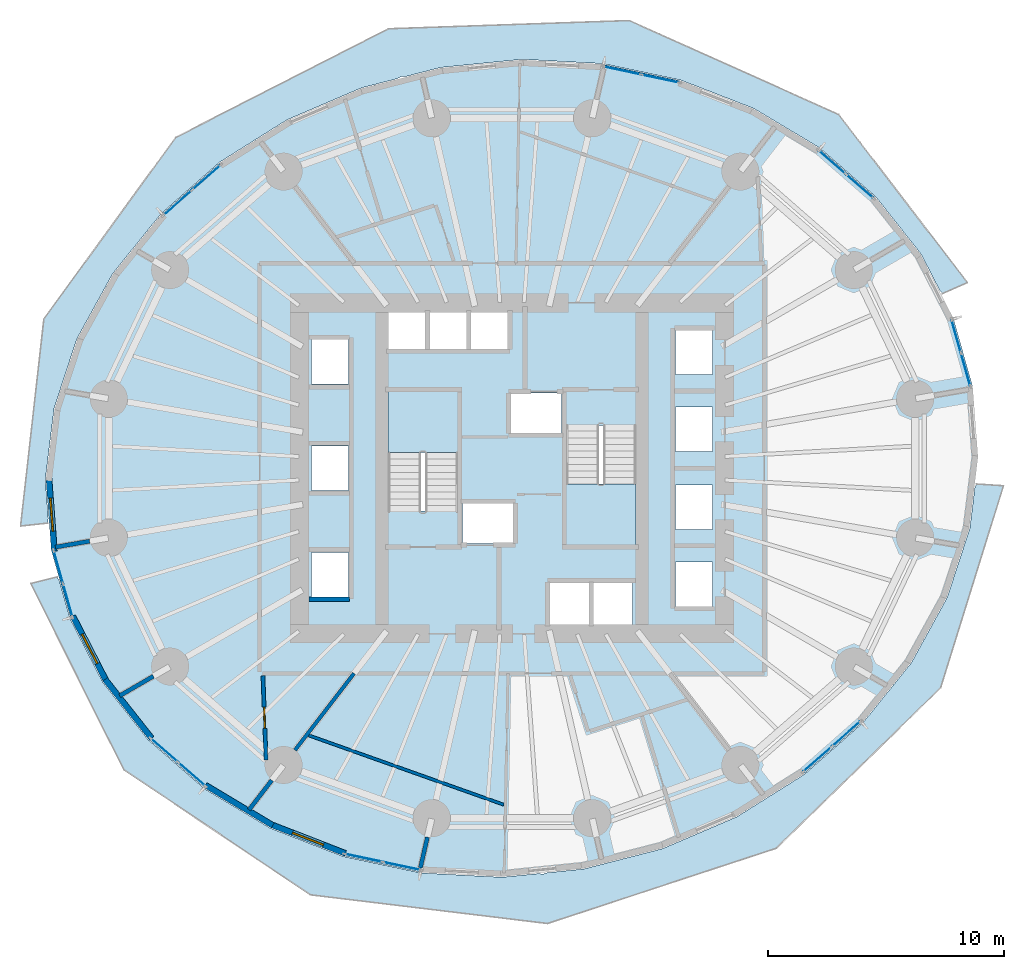
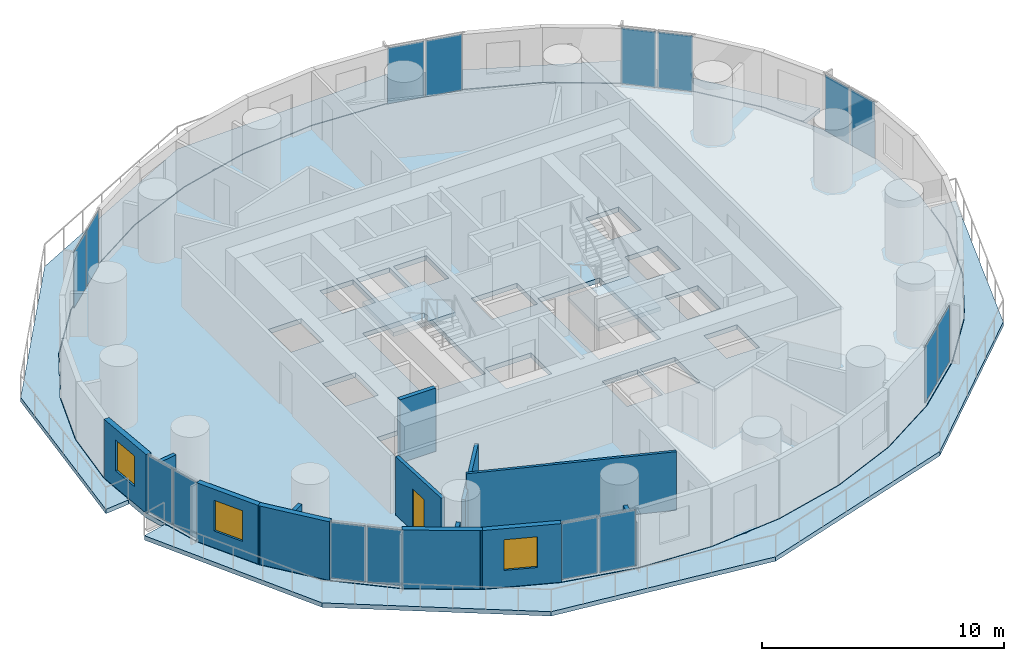
# One storey, part 6 of 13: 16 plates, 13 walls, 5 slabs, 3 windows, 1 door, 4 openings, 10 elements without a shape of their own.
"""IFC4 building model written with IfcOpenShell, lengths in metres."""

from ifc_helpers import new_model, si_unit, direction, frame, frame_2d, origin, origin_2d, place, context, subcontext, project, spatial, polyline, rectangle, outline, extrude, material, layer, layer_set, type_object, element, fill, aggregate, save


model = new_model("IFC4")

# Units and contexts
model_context = context("Model", 3, precision=1e-05, world=origin(), true_north=direction((0.0, 1.0)))
body_context = subcontext(model_context, "Body", "Model", "MODEL_VIEW")
ifc_project = project(units=[si_unit("LENGTHUNIT", "METRE"), si_unit("AREAUNIT", "SQUARE_METRE"), si_unit("VOLUMEUNIT", "CUBIC_METRE"), si_unit("PLANEANGLEUNIT", "RADIAN"), si_unit("MASSUNIT", "GRAM", prefix="KILO")], contexts=[model_context])

# Site, building, storey
site_placement = place(None, origin())
site = spatial("IfcSite", under=ifc_project, at=site_placement, CompositionType="ELEMENT")
building_placement = place(site_placement, origin())
building = spatial("IfcBuilding", under=site, at=building_placement, Name="Veldorim Arch Residences", CompositionType="ELEMENT")
storey_placement = place(building_placement, frame((0.0, 0.0, 44.0)))
storey = spatial("IfcBuildingStorey", under=building, at=storey_placement, Name="L12", CompositionType="ELEMENT", Elevation=44.0)

# Slabs
ifc_material_1 = material(Name="Concrete C40/50", Category="concrete")
ifc_layer_1 = layer(ifc_material_1, 0.219970703125, Name="Planted Crescent Cantilever Balcony Slab 220")
ifc_layer_set_1 = layer_set([ifc_layer_1], Name="Concrete C40/50")
slab_type_1 = type_object("IfcSlabType", Name="Planted Crescent Cantilever Balcony Slab 220", PredefinedType="FLOOR", material=ifc_layer_set_1)
slab_1_placement = place(storey_placement, frame((0.0, 0.0, -0.219970703125)))
element("IfcSlab", 1, at=slab_1_placement, inside=storey, type_object=slab_type_1, Name="L12 planted crescent balcony slab A", PredefinedType="FLOOR", context=body_context, shape_type="SweptSolid", body=[
    extrude(outline(polyline([(50.09228515625, 31.54150390625), (49.310302734375, 33.06201171875), (47.3955078125, 35.485595703125), (45.01318359375, 37.560302734375), (42.235595703125, 39.22265625), (39.147216796875, 40.42236328125), (35.841796875, 41.123291015625), (32.419921875, 41.30419921875), (28.985107421875, 40.959228515625), (27.514892578125, 40.580810546875), (27.31689453125, 40.572021484375), (27.14013671875, 40.484619140625), (25.64208984375, 40.09912109375), (22.4921875, 38.750244140625), (19.630615234375, 36.953125), (17.14501953125, 34.762451171875), (15.110595703125, 32.24462890625), (13.589111328125, 29.47607421875), (12.627197265625, 26.541015625), (12.25390625, 23.5283203125), (12.37939453125, 21.86962890625), (12.34716796875, 21.681884765625), (11.2041015625, 21.557373046875), (12.189453125, 30.31494140625), (17.773193359375, 38.0029296875), (26.772216796875, 42.60009765625), (36.96337890625, 42.94677734375), (45.82080078125, 38.97314453125), (51.26953125, 31.861328125), (50.2177734375, 31.396484375), (50.09228515625, 31.54150390625)])), origin(), (0.0, 0.0, 1.0), 0.219970703125),
])
slab_2_placement = place(storey_placement, frame((0.0, 0.0, -0.219970703125)))
element("IfcSlab", 2, at=slab_2_placement, inside=storey, type_object=slab_type_1, Name="L12 planted crescent balcony slab B", PredefinedType="FLOOR", context=body_context, shape_type="SweptSolid", body=[
    extrude(outline(polyline([(12.84716796875, 19.238037109375), (13.301025390625, 17.63720703125), (14.689697265625, 14.93798828125), (16.6044921875, 12.514404296875), (18.98681640625, 10.439697265625), (21.764404296875, 8.77734375), (24.852783203125, 7.57763671875), (28.158203125, 6.876708984375), (31.580078125, 6.69580078125), (33.118896484375, 6.850341796875), (33.315185546875, 6.829345703125), (33.504150390625, 6.88916015625), (35.014892578125, 7.040771484375), (38.35791015625, 7.90087890625), (41.5078125, 9.249755859375), (44.369384765625, 11.046875), (46.85498046875, 13.237548828125), (48.889404296875, 15.75537109375), (50.410888671875, 18.52392578125), (51.372802734375, 21.458984375), (51.5830078125, 23.15576171875), (51.650634765625, 23.33544921875), (52.79833984375, 23.261474609375), (50.134521484375, 14.70751953125), (43.189208984375, 7.924560546875), (33.502685546875, 4.73779296875), (23.470947265625, 5.951904296875), (15.57958984375, 11.244384765625), (11.63623046875, 19.1259765625), (12.75244140625, 19.40283203125), (12.84716796875, 19.238037109375)])), origin(), (0.0, 0.0, 1.0), 0.219970703125),
])

# Stair, slab
ifc_material_2 = material(Name="Concrete C40/50", Category="concrete")
stair_type = type_object("IfcStairType", Name="Reinforced Concrete Dogleg Exit Staircase", PredefinedType="HALF_TURN_STAIR", material=ifc_material_2)
stair_1_placement = place(storey_placement, origin())
stair_1 = element("IfcStair", 3, at=stair_1_placement, inside=storey, type_object=stair_type, Name="L12 Exit Staircase ST-1", PredefinedType="HALF_TURN_STAIR")
ifc_material_3 = material(Name="Concrete C40/50", Category="concrete")
ifc_layer_2 = layer(ifc_material_3, 0.199951171875, Name="Reinforced Concrete Stair Landing 200")
ifc_layer_set_2 = layer_set([ifc_layer_2], Name="Concrete C40/50")
slab_type_2 = type_object("IfcSlabType", Name="Reinforced Concrete Stair Landing 200", PredefinedType="LANDING", material=ifc_layer_set_2)
slab_3_placement = place(storey_placement, frame((0.0, 0.0, 1.39990234375)))
slab_3 = element("IfcSlab", 4, at=slab_3_placement, type_object=slab_type_2, Name="ST-1 landing 1", PredefinedType="LANDING", context=body_context, shape_type="SweptSolid", body=[
    extrude(outline(polyline([(29.7099609375, 24.669921875), (29.7099609375, 27.25), (26.75, 27.25), (26.75, 24.669921875), (29.7099609375, 24.669921875)])), origin(), (0.0, 0.0, 1.0), 0.2001953125),
])
aggregate(stair_1, [slab_3])

stair_2_placement = place(storey_placement, origin())
stair_2 = element("IfcStair", 5, at=stair_2_placement, inside=storey, type_object=stair_type, Name="L12 Exit Staircase ST-2", PredefinedType="HALF_TURN_STAIR")
slab_4_placement = place(storey_placement, frame((0.0, 0.0, 1.39990234375)))
slab_4 = element("IfcSlab", 6, at=slab_4_placement, type_object=slab_type_2, Name="ST-2 landing 1", PredefinedType="LANDING", context=body_context, shape_type="SweptSolid", body=[
    extrude(outline(polyline([(34.2900390625, 23.330078125), (34.2900390625, 20.75), (37.25, 20.75), (37.25, 23.330078125), (34.2900390625, 23.330078125)])), origin(), (0.0, 0.0, 1.0), 0.2001953125),
])
aggregate(stair_2, [slab_4])

# Slab
ifc_material_4 = material(Name="Concrete C40/50", Category="concrete")
ifc_layer_3 = layer(ifc_material_4, 0.239990234375, Name="Typical Residential Floor Slab 240")
ifc_layer_set_3 = layer_set([ifc_layer_3], Name="Concrete C40/50")
slab_type_3 = type_object("IfcSlabType", Name="Typical Residential Floor Slab 240", PredefinedType="FLOOR", material=ifc_layer_set_3)
slab_5_placement = place(storey_placement, frame((0.0, 0.0, -0.239990234375)))
element("IfcSlab", 7, at=slab_5_placement, inside=storey, type_object=slab_type_3, Name="L12 tower structural floor slab", PredefinedType="FLOOR", context=body_context, shape_type="SweptSolid", body=[
    extrude(outline(polyline([(51.494384765625, 27.465576171875), (50.675537109375, 30.353515625), (49.2890625, 33.04833984375), (47.37744140625, 35.468505859375), (44.99853515625, 37.5400390625), (42.224609375, 39.2001953125), (39.14013671875, 40.3984375), (35.838623046875, 41.098388671875), (32.42041015625, 41.279052734375), (28.989501953125, 40.9345703125), (25.650146484375, 40.075439453125), (22.503662109375, 38.72802734375), (19.645751953125, 36.93310546875), (17.1630859375, 34.7451171875), (15.13134765625, 32.230712890625), (13.6123046875, 29.466064453125), (12.651611328125, 26.535400390625), (12.279052734375, 23.52783203125), (12.505615234375, 20.534423828125), (13.324462890625, 17.646484375), (14.7109375, 14.95166015625), (16.62255859375, 12.531494140625), (19.00146484375, 10.4599609375), (21.775390625, 8.7998046875), (24.85986328125, 7.6015625), (28.161376953125, 6.901611328125), (31.57958984375, 6.720947265625), (35.010498046875, 7.0654296875), (38.349853515625, 7.924560546875), (41.496337890625, 9.27197265625), (44.354248046875, 11.06689453125), (46.8369140625, 13.2548828125), (48.86865234375, 15.769287109375), (50.3876953125, 18.533935546875), (51.348388671875, 21.464599609375), (51.720947265625, 24.47216796875), (51.494384765625, 27.465576171875)]), holes=[polyline([(23.510009765625, 20.43994140625), (25.090087890625, 20.43994140625), (25.090087890625, 18.56005859375), (23.510009765625, 18.56005859375), (23.510009765625, 20.43994140625)]), polyline([(29.909912109375, 22.544921875), (32.090087890625, 22.544921875), (32.090087890625, 20.81494140625), (29.909912109375, 20.81494140625), (29.909912109375, 22.544921875)]), polyline([(23.510009765625, 24.93994140625), (25.090087890625, 24.93994140625), (25.090087890625, 23.06005859375), (23.510009765625, 23.06005859375), (23.510009765625, 24.93994140625)]), polyline([(26.75, 27.25), (29.7099609375, 27.25), (29.7099609375, 22.195068359375), (26.75, 22.195068359375), (26.75, 27.25)]), polyline([(23.510009765625, 29.43994140625), (25.090087890625, 29.43994140625), (25.090087890625, 27.56005859375), (23.510009765625, 27.56005859375), (23.510009765625, 29.43994140625)]), polyline([(26.760009765625, 30.7900390625), (28.340087890625, 30.7900390625), (28.340087890625, 28.909912109375), (26.760009765625, 28.909912109375), (26.760009765625, 30.7900390625)]), polyline([(28.510009765625, 30.7900390625), (30.090087890625, 30.7900390625), (30.090087890625, 28.909912109375), (28.510009765625, 28.909912109375), (28.510009765625, 30.7900390625)]), polyline([(30.260009765625, 30.7900390625), (31.840087890625, 30.7900390625), (31.840087890625, 28.909912109375), (30.260009765625, 28.909912109375), (30.260009765625, 30.7900390625)]), polyline([(33.610107421875, 19.2900390625), (35.2900390625, 19.2900390625), (35.2900390625, 17.2099609375), (33.610107421875, 17.2099609375), (33.610107421875, 19.2900390625)]), polyline([(35.409912109375, 19.2900390625), (37.090087890625, 19.2900390625), (37.090087890625, 17.2099609375), (35.409912109375, 17.2099609375), (35.409912109375, 19.2900390625)]), polyline([(38.909912109375, 20.0400390625), (40.489990234375, 20.0400390625), (40.489990234375, 18.159912109375), (38.909912109375, 18.159912109375), (38.909912109375, 20.0400390625)]), polyline([(38.909912109375, 23.2900390625), (40.489990234375, 23.2900390625), (40.489990234375, 21.409912109375), (38.909912109375, 21.409912109375), (38.909912109375, 23.2900390625)]), polyline([(34.2900390625, 25.804931640625), (37.25, 25.804931640625), (37.25, 20.75), (34.2900390625, 20.75), (34.2900390625, 25.804931640625)]), polyline([(38.909912109375, 26.590087890625), (40.489990234375, 26.590087890625), (40.489990234375, 24.7099609375), (38.909912109375, 24.7099609375), (38.909912109375, 26.590087890625)]), polyline([(31.909912109375, 27.18505859375), (34.090087890625, 27.18505859375), (34.090087890625, 25.455078125), (31.909912109375, 25.455078125), (31.909912109375, 27.18505859375)]), polyline([(38.909912109375, 29.840087890625), (40.489990234375, 29.840087890625), (40.489990234375, 27.9599609375), (38.909912109375, 27.9599609375), (38.909912109375, 29.840087890625)])]), origin(), (0.0, 0.0, 1.0), 0.239990234375),
])

# Curtain wall, plates
ifc_material_5 = material(Name="Aluminium", Category="aluminium")
curtain_wall_type = type_object("IfcCurtainWallType", Name="Zone 1 Acoustic Low-E Unitised Curtain Wall", PredefinedType="NOTDEFINED", material=ifc_material_5)
curtain_wall_1_placement = place(storey_placement, origin())
curtain_wall_1 = element("IfcCurtainWall", 8, at=curtain_wall_1_placement, inside=storey, type_object=curtain_wall_type, Name="L12 unitised curtain wall bay 01", PredefinedType="NOTDEFINED")
ifc_material_6 = material(Name="Laminated Low-E Glass", Category="glass")
ifc_layer_4 = layer(ifc_material_6, 0.02587890625, Name="Zone 1 Acoustic Low-E Unitised Curtain Wall Glazing Panel 26")
ifc_layer_set_4 = layer_set([ifc_layer_4], Name="Laminated Low-E Glass")
plate_type = type_object("IfcPlateType", Name="Zone 1 Acoustic Low-E Unitised Curtain Wall Glazing Panel 26", PredefinedType="CURTAIN_PANEL", material=ifc_layer_set_4)
plate_1_placement = place(storey_placement, frame((50.798095703125, 29.59130859375, 0.06494140625), z_axis=(0.0, 0.0, 1.0), x_axis=(0.27279786898, -0.962071370887, 0.0)))
plate_1 = element("IfcPlate", 9, at=plate_1_placement, type_object=plate_type, Name="CW-Z1 panel 1.1", PredefinedType="CURTAIN_PANEL", context=body_context, shape_type="SweptSolid", body=[
    extrude(rectangle(XDim=1.4033203125, YDim=0.02587890625, at=origin_2d()), origin(), (0.0, 0.0, 1.0), 2.830078125),
])
plate_2_placement = place(storey_placement, frame((51.19873046875, 28.178466796875, 0.06494140625), z_axis=(0.0, 0.0, 1.0), x_axis=(0.27279786898, -0.962071370887, 0.0)))
plate_2 = element("IfcPlate", 10, at=plate_2_placement, type_object=plate_type, Name="CW-Z1 panel 2.1", PredefinedType="CURTAIN_PANEL", context=body_context, shape_type="SweptSolid", body=[
    extrude(rectangle(XDim=1.4033203125, YDim=0.02587890625, at=origin_2d()), origin(), (0.0, 0.0, 1.0), 2.830078125),
])
aggregate(curtain_wall_1, [plate_1, plate_2])

curtain_wall_2_placement = place(storey_placement, origin())
curtain_wall_2 = element("IfcCurtainWall", 11, at=curtain_wall_2_placement, inside=storey, type_object=curtain_wall_type, Name="L12 unitised curtain wall bay 04", PredefinedType="NOTDEFINED")
plate_3_placement = place(storey_placement, frame((45.54638671875, 36.943603515625, 0.06494140625), z_axis=(0.0, 0.0, 1.0), x_axis=(0.754135785195, -0.656718522267, 0.0)))
plate_3 = element("IfcPlate", 12, at=plate_3_placement, type_object=plate_type, Name="CW-Z1 panel 1.1", PredefinedType="CURTAIN_PANEL", context=body_context, shape_type="SweptSolid", body=[
    extrude(rectangle(XDim=1.479736328125, YDim=0.02587890625, at=origin_2d()), origin(), (0.0, 0.0, 1.0), 2.830078125),
])
plate_4_placement = place(storey_placement, frame((46.71142578125, 35.928955078125, 0.06494140625), z_axis=(0.0, 0.0, 1.0), x_axis=(0.754135785195, -0.656718522267, 0.0)))
plate_4 = element("IfcPlate", 13, at=plate_4_placement, type_object=plate_type, Name="CW-Z1 panel 2.1", PredefinedType="CURTAIN_PANEL", context=body_context, shape_type="SweptSolid", body=[
    extrude(rectangle(XDim=1.479736328125, YDim=0.02587890625, at=origin_2d()), origin(), (0.0, 0.0, 1.0), 2.830078125),
])
aggregate(curtain_wall_2, [plate_3, plate_4])

curtain_wall_3_placement = place(storey_placement, origin())
curtain_wall_3 = element("IfcCurtainWall", 14, at=curtain_wall_3_placement, inside=storey, type_object=curtain_wall_type, Name="L12 unitised curtain wall bay 07", PredefinedType="NOTDEFINED")
plate_5_placement = place(storey_placement, frame((36.6611328125, 40.83203125, 0.06494140625), z_axis=(0.0, 0.0, 1.0), x_axis=(0.978247245919, -0.207442343439, 0.0)))
plate_5 = element("IfcPlate", 15, at=plate_5_placement, type_object=plate_type, Name="CW-Z1 panel 1.1", PredefinedType="CURTAIN_PANEL", context=body_context, shape_type="SweptSolid", body=[
    extrude(rectangle(XDim=1.58984375, YDim=0.02587890625, at=origin_2d()), origin(), (0.0, 0.0, 1.0), 2.830078125),
])
plate_6_placement = place(storey_placement, frame((38.280029296875, 40.48876953125, 0.06494140625), z_axis=(0.0, 0.0, 1.0), x_axis=(0.978247245919, -0.207442343439, 0.0)))
plate_6 = element("IfcPlate", 16, at=plate_6_placement, type_object=plate_type, Name="CW-Z1 panel 2.1", PredefinedType="CURTAIN_PANEL", context=body_context, shape_type="SweptSolid", body=[
    extrude(rectangle(XDim=1.58984375, YDim=0.02587890625, at=origin_2d()), origin(), (0.0, 0.0, 1.0), 2.830078125),
])
aggregate(curtain_wall_3, [plate_5, plate_6])

curtain_wall_4_placement = place(storey_placement, origin())
curtain_wall_4 = element("IfcCurtainWall", 17, at=curtain_wall_4_placement, inside=storey, type_object=curtain_wall_type, Name="L12 unitised curtain wall bay 13", PredefinedType="NOTDEFINED")
plate_7_placement = place(storey_placement, frame((17.85546875, 35.2353515625, 0.06494140625), z_axis=(0.0, 0.0, 1.0), x_axis=(0.750203728094, 0.661206750082, 0.0)))
plate_7 = element("IfcPlate", 18, at=plate_7_placement, type_object=plate_type, Name="CW-Z1 panel 1.1", PredefinedType="CURTAIN_PANEL", context=body_context, shape_type="SweptSolid", body=[
    extrude(rectangle(XDim=1.55712890625, YDim=0.02587890625, at=origin_2d()), origin(), (0.0, 0.0, 1.0), 2.830078125),
])
plate_8_placement = place(storey_placement, frame((19.072265625, 36.307861328125, 0.06494140625), z_axis=(0.0, 0.0, 1.0), x_axis=(0.750203728094, 0.661206750082, 0.0)))
plate_8 = element("IfcPlate", 19, at=plate_8_placement, type_object=plate_type, Name="CW-Z1 panel 2.1", PredefinedType="CURTAIN_PANEL", context=body_context, shape_type="SweptSolid", body=[
    extrude(rectangle(XDim=1.55712890625, YDim=0.02587890625, at=origin_2d()), origin(), (0.0, 0.0, 1.0), 2.830078125),
])
aggregate(curtain_wall_4, [plate_7, plate_8])

curtain_wall_5_placement = place(storey_placement, origin())
curtain_wall_5 = element("IfcCurtainWall", 20, at=curtain_wall_5_placement, inside=storey, type_object=curtain_wall_type, Name="L12 unitised curtain wall bay 19", PredefinedType="NOTDEFINED")
plate_9_placement = place(storey_placement, frame((13.201904296875, 18.40869140625, 0.06494140625), z_axis=(0.0, 0.0, 1.0), x_axis=(-0.27279786898, 0.962071370887, 0.0)))
plate_9 = element("IfcPlate", 21, at=plate_9_placement, type_object=plate_type, Name="CW-Z1 panel 1.1", PredefinedType="CURTAIN_PANEL", context=body_context, shape_type="SweptSolid", body=[
    extrude(rectangle(XDim=1.4033203125, YDim=0.02587890625, at=origin_2d()), origin(), (0.0, 0.0, 1.0), 2.830078125),
])
plate_10_placement = place(storey_placement, frame((12.80126953125, 19.821533203125, 0.06494140625), z_axis=(0.0, 0.0, 1.0), x_axis=(-0.27279786898, 0.962071370887, 0.0)))
plate_10 = element("IfcPlate", 22, at=plate_10_placement, type_object=plate_type, Name="CW-Z1 panel 2.1", PredefinedType="CURTAIN_PANEL", context=body_context, shape_type="SweptSolid", body=[
    extrude(rectangle(XDim=1.4033203125, YDim=0.02587890625, at=origin_2d()), origin(), (0.0, 0.0, 1.0), 2.830078125),
])
aggregate(curtain_wall_5, [plate_9, plate_10])

curtain_wall_6_placement = place(storey_placement, origin())
curtain_wall_6 = element("IfcCurtainWall", 23, at=curtain_wall_6_placement, inside=storey, type_object=curtain_wall_type, Name="L12 unitised curtain wall bay 22", PredefinedType="NOTDEFINED")
plate_11_placement = place(storey_placement, frame((18.45361328125, 11.056396484375, 0.06494140625), z_axis=(0.0, 0.0, 1.0), x_axis=(-0.754135785195, 0.656718522267, 0.0)))
plate_11 = element("IfcPlate", 24, at=plate_11_placement, type_object=plate_type, Name="CW-Z1 panel 1.1", PredefinedType="CURTAIN_PANEL", context=body_context, shape_type="SweptSolid", body=[
    extrude(rectangle(XDim=1.479736328125, YDim=0.02587890625, at=origin_2d()), origin(), (0.0, 0.0, 1.0), 2.830078125),
])
plate_12_placement = place(storey_placement, frame((17.28857421875, 12.071044921875, 0.06494140625), z_axis=(0.0, 0.0, 1.0), x_axis=(-0.754135785195, 0.656718522267, 0.0)))
plate_12 = element("IfcPlate", 25, at=plate_12_placement, type_object=plate_type, Name="CW-Z1 panel 2.1", PredefinedType="CURTAIN_PANEL", context=body_context, shape_type="SweptSolid", body=[
    extrude(rectangle(XDim=1.479736328125, YDim=0.02587890625, at=origin_2d()), origin(), (0.0, 0.0, 1.0), 2.830078125),
])
aggregate(curtain_wall_6, [plate_11, plate_12])

curtain_wall_7_placement = place(storey_placement, origin())
curtain_wall_7 = element("IfcCurtainWall", 26, at=curtain_wall_7_placement, inside=storey, type_object=curtain_wall_type, Name="L12 unitised curtain wall bay 25", PredefinedType="NOTDEFINED")
plate_13_placement = place(storey_placement, frame((27.3388671875, 7.16796875, 0.06494140625), z_axis=(0.0, 0.0, 1.0), x_axis=(-0.978247245919, 0.207442343439, 0.0)))
plate_13 = element("IfcPlate", 27, at=plate_13_placement, type_object=plate_type, Name="CW-Z1 panel 1.1", PredefinedType="CURTAIN_PANEL", context=body_context, shape_type="SweptSolid", body=[
    extrude(rectangle(XDim=1.58984375, YDim=0.02587890625, at=origin_2d()), origin(), (0.0, 0.0, 1.0), 2.830078125),
])
plate_14_placement = place(storey_placement, frame((25.719970703125, 7.51123046875, 0.06494140625), z_axis=(0.0, 0.0, 1.0), x_axis=(-0.978247245919, 0.207442343439, 0.0)))
plate_14 = element("IfcPlate", 28, at=plate_14_placement, type_object=plate_type, Name="CW-Z1 panel 2.1", PredefinedType="CURTAIN_PANEL", context=body_context, shape_type="SweptSolid", body=[
    extrude(rectangle(XDim=1.58984375, YDim=0.02587890625, at=origin_2d()), origin(), (0.0, 0.0, 1.0), 2.830078125),
])
aggregate(curtain_wall_7, [plate_13, plate_14])

curtain_wall_8_placement = place(storey_placement, origin())
curtain_wall_8 = element("IfcCurtainWall", 29, at=curtain_wall_8_placement, inside=storey, type_object=curtain_wall_type, Name="L12 unitised curtain wall bay 31", PredefinedType="NOTDEFINED")
plate_15_placement = place(storey_placement, frame((46.14453125, 12.7646484375, 0.06494140625), z_axis=(0.0, 0.0, 1.0), x_axis=(-0.750203728094, -0.661206750082, 0.0)))
plate_15 = element("IfcPlate", 30, at=plate_15_placement, type_object=plate_type, Name="CW-Z1 panel 1.1", PredefinedType="CURTAIN_PANEL", context=body_context, shape_type="SweptSolid", body=[
    extrude(rectangle(XDim=1.55712890625, YDim=0.02587890625, at=origin_2d()), origin(), (0.0, 0.0, 1.0), 2.830078125),
])
plate_16_placement = place(storey_placement, frame((44.927734375, 11.692138671875, 0.06494140625), z_axis=(0.0, 0.0, 1.0), x_axis=(-0.750203728094, -0.661206750082, 0.0)))
plate_16 = element("IfcPlate", 31, at=plate_16_placement, type_object=plate_type, Name="CW-Z1 panel 2.1", PredefinedType="CURTAIN_PANEL", context=body_context, shape_type="SweptSolid", body=[
    extrude(rectangle(XDim=1.55712890625, YDim=0.02587890625, at=origin_2d()), origin(), (0.0, 0.0, 1.0), 2.830078125),
])
aggregate(curtain_wall_8, [plate_15, plate_16])

# Walls
ifc_material_7 = material(Name="Acoustic Gypsum Board", Category="gypsum")
ifc_layer_5 = layer(ifc_material_7, 0.125, Name="Acoustic Stud Room Partition Wall 125")
ifc_layer_set_5 = layer_set([ifc_layer_5], Name="Acoustic Gypsum Board")
wall_type_1 = type_object("IfcWallType", Name="Acoustic Stud Room Partition Wall 125", PredefinedType="PARTITIONING", material=ifc_layer_set_5)
wall_1_placement = place(storey_placement, frame((23.31884765625, 12.72509765625, 0.0), z_axis=(0.0, 0.0, 1.0), x_axis=(0.942235806182, -0.334950273248, 0.0)))
element("IfcWall", 32, at=wall_1_placement, inside=storey, type_object=wall_type_1, Name="L12 interior wall WL-RES-L12-012", PredefinedType="PARTITIONING", context=body_context, shape_type="SweptSolid", body=[
    extrude(rectangle(XDim=8.839111328125, YDim=0.125, at=frame_2d((4.41943359375, 0.0))), origin(), (0.0, 0.0, 1.0), 2.955078125),
])
ifc_material_8 = material(Name="Lightweight Masonry Block & Gypsum", Category="masonry")
ifc_layer_6 = layer(ifc_material_8, 0.179931640625, Name="Compartment & Corridor Fire-Rated Party Wall 180")
ifc_layer_set_6 = layer_set([ifc_layer_6], Name="Lightweight Masonry Block & Gypsum")
wall_type_2 = type_object("IfcWallType", Name="Compartment & Corridor Fire-Rated Party Wall 180", PredefinedType="PARTITIONING", material=ifc_layer_set_6)
wall_2_placement = place(storey_placement, frame((14.126220703125, 20.91455078125, 0.0), z_axis=(0.0, 0.0, 1.0), x_axis=(-0.985431361669, -0.170073605946, 0.0)))
element("IfcWall", 33, at=wall_2_placement, inside=storey, type_object=wall_type_2, Name="L12 interior wall WL-PIER-L12-09", PredefinedType="PARTITIONING", context=body_context, shape_type="SweptSolid", body=[
    extrude(rectangle(XDim=1.471435546875, YDim=0.179931640625, at=frame_2d((0.73583984375, 0.0))), origin(), (0.0, 0.0, 1.0), 2.17822265625),
])
wall_3_placement = place(storey_placement, frame((16.822998046875, 15.19970703125, 0.0), z_axis=(0.0, 0.0, 1.0), x_axis=(-0.865006756398, -0.501760213036, 0.0)))
element("IfcWall", 34, at=wall_3_placement, inside=storey, type_object=wall_type_2, Name="L12 interior wall WL-PIER-L12-10", PredefinedType="PARTITIONING", context=body_context, shape_type="SweptSolid", body=[
    extrude(rectangle(XDim=1.64794921875, YDim=0.179931640625, at=frame_2d((0.823974609375, 0.0))), origin(), (0.0, 0.0, 1.0), 2.17822265625),
])
wall_4_placement = place(storey_placement, frame((21.832763671875, 10.795166015625, 0.0), z_axis=(0.0, 0.0, 1.0), x_axis=(-0.609965884242, -0.792427674971, 0.0)))
element("IfcWall", 35, at=wall_4_placement, inside=storey, type_object=wall_type_2, Name="L12 interior wall WL-PIER-L12-11", PredefinedType="PARTITIONING", context=body_context, shape_type="SweptSolid", body=[
    extrude(rectangle(XDim=1.572265625, YDim=0.179931640625, at=frame_2d((0.7861328125, 0.0))), origin(), (0.0, 0.0, 1.0), 2.17822265625),
])
wall_5_placement = place(storey_placement, frame((28.422119140625, 8.390869140625, 0.0), z_axis=(0.0, 0.0, 1.0), x_axis=(-0.223372526283, -0.974733150407, 0.0)))
element("IfcWall", 36, at=wall_5_placement, inside=storey, type_object=wall_type_2, Name="L12 interior wall WL-PIER-L12-12", PredefinedType="PARTITIONING", context=body_context, shape_type="SweptSolid", body=[
    extrude(rectangle(XDim=1.331298828125, YDim=0.179931640625, at=frame_2d((0.66552734375, 0.0))), origin(), (0.0, 0.0, 1.0), 2.17822265625),
])
ifc_material_9 = material(Name="Concrete C50/60", Category="concrete")
ifc_layer_7 = layer(ifc_material_9, 0.199951171875, Name="Core Stair & Lift Shaft Enclosure Wall 200")
ifc_layer_set_7 = layer_set([ifc_layer_7], Name="Concrete C50/60")
wall_type_3 = type_object("IfcWallType", Name="Core Stair & Lift Shaft Enclosure Wall 200", PredefinedType="SHEAR", material=ifc_layer_set_7)
wall_6_placement = place(storey_placement, frame((23.419921875, 18.4599609375, 0.0), z_axis=(0.0, 0.0, 1.0), x_axis=(1.0, 0.0, 0.0)))
element("IfcWall", 37, at=wall_6_placement, inside=storey, type_object=wall_type_3, Name="L12 shaft wall WL-B2-L12-S", PredefinedType="SHEAR", context=body_context, shape_type="SweptSolid", body=[
    extrude(rectangle(XDim=1.7099609375, YDim=0.199951171875, at=frame_2d((0.85498046875, 0.0))), origin(), (0.0, 0.0, 1.0), 3.199951171875),
])

# Wall, opening, window
ifc_material_10 = material(Name="Precast concrete C40/50", Category="concrete")
ifc_layer_8 = layer(ifc_material_10, 0.25, Name="Tower Terracotta Spandrel & Pier Wall 250")
ifc_layer_set_8 = layer_set([ifc_layer_8], Name="Precast concrete C40/50")
wall_type_4 = type_object("IfcWallType", Name="Tower Terracotta Spandrel & Pier Wall 250", PredefinedType="SOLIDWALL", material=ifc_layer_set_8)
wall_7_placement = place(storey_placement, frame((12.633544921875, 20.4990234375, 0.0), z_axis=(0.0, 0.0, 1.0), x_axis=(-0.075488770926, 0.997146651934, 0.0)))
wall_7 = element("IfcWall", 38, at=wall_7_placement, inside=storey, type_object=wall_type_4, Name="L12 terracotta facade wall 18", PredefinedType="SOLIDWALL", context=body_context, shape_type="SweptSolid", body=[
    extrude(rectangle(XDim=3.091796875, YDim=0.25, at=frame_2d((1.5458984375, 0.0))), origin(), (0.0, 0.0, 1.0), 2.9599609375),
])
opening_1_placement = place(wall_7_placement, frame((0.845947265625, 0.0, 0.85009765625)))
opening_1 = element("IfcOpeningElement", 39, at=opening_1_placement, cuts=wall_7, Name="Opening WN-02", PredefinedType="OPENING", context=body_context, shape_type="SweptSolid", body=[
    extrude(rectangle(XDim=1.39990234375, YDim=1.550048828125, at=frame_2d((0.699951171875, 0.77490234375))), frame((0.0, 0.135009765625, 0.0), z_axis=(0.0, -1.0, 0.0), x_axis=(1.0, 0.0, 0.0)), (0.0, 0.0, 1.0), 0.27001953125),
])
ifc_material_11 = material(Name="Laminated Low-E Glass", Category="glass")
window_type = type_object("IfcWindowType", Name="Residential Casement Window 1400x1550", PartitioningType="SINGLE_PANEL", PredefinedType="WINDOW", material=ifc_material_11)
window_1_placement = place(opening_1_placement, origin())
window_1 = element("IfcWindow", 40, at=window_1_placement, inside=storey, type_object=window_type, Name="L12 solar-control facade window 18", OverallHeight=1.550048828125, OverallWidth=1.39990234375, PartitioningType="SINGLE_PANEL", PredefinedType="WINDOW", context=body_context, shape_type="SweptSolid", body=[
    extrude(rectangle(XDim=1.39990234375, YDim=1.550048828125, at=frame_2d((0.699951171875, 0.77490234375))), frame((0.0, 0.030029296875, 0.0), z_axis=(0.0, -1.0, 0.0), x_axis=(1.0, 0.0, 0.0)), (0.0, 0.0, 1.0), 0.06005859375),
])
fill(opening_1, window_1)

wall_8_placement = place(storey_placement, frame((14.842529296875, 14.96875, 0.0), z_axis=(0.0, 0.0, 1.0), x_axis=(-0.457448772631, 0.889235975666, 0.0)))
wall_8 = element("IfcWall", 41, at=wall_8_placement, inside=storey, type_object=wall_type_4, Name="L12 terracotta facade wall 20", PredefinedType="SOLIDWALL", context=body_context, shape_type="SweptSolid", body=[
    extrude(rectangle(XDim=3.12060546875, YDim=0.25, at=frame_2d((1.560302734375, 0.0))), origin(), (0.0, 0.0, 1.0), 2.9599609375),
])
opening_2_placement = place(wall_8_placement, frame((0.860107421875, 0.0, 0.85009765625)))
opening_2 = element("IfcOpeningElement", 42, at=opening_2_placement, cuts=wall_8, Name="Opening WN-02", PredefinedType="OPENING", context=body_context, shape_type="SweptSolid", body=[
    extrude(rectangle(XDim=1.39990234375, YDim=1.550048828125, at=frame_2d((0.699951171875, 0.77490234375))), frame((0.0, 0.135009765625, 0.0), z_axis=(0.0, -1.0, 0.0), x_axis=(1.0, 0.0, 0.0)), (0.0, 0.0, 1.0), 0.27001953125),
])
window_2_placement = place(opening_2_placement, origin())
window_2 = element("IfcWindow", 43, at=window_2_placement, inside=storey, type_object=window_type, Name="L12 solar-control facade window 20", OverallHeight=1.550048828125, OverallWidth=1.39990234375, PartitioningType="SINGLE_PANEL", PredefinedType="WINDOW", context=body_context, shape_type="SweptSolid", body=[
    extrude(rectangle(XDim=1.39990234375, YDim=1.550048828125, at=frame_2d((0.699951171875, 0.77490234375))), frame((0.0, 0.030029296875, 0.0), z_axis=(0.0, -1.0, 0.0), x_axis=(1.0, 0.0, 0.0)), (0.0, 0.0, 1.0), 0.06005859375),
])
fill(opening_2, window_2)

# Walls
wall_9_placement = place(storey_placement, frame((16.74853515625, 12.57373046875, 0.0), z_axis=(0.0, 0.0, 1.0), x_axis=(-0.619871206143, 0.784703566829, 0.0)))
element("IfcWall", 44, at=wall_9_placement, inside=storey, type_object=wall_type_4, Name="L12 terracotta facade wall 21", PredefinedType="SOLIDWALL", context=body_context, shape_type="SweptSolid", body=[
    extrude(rectangle(XDim=3.174072265625, YDim=0.25, at=frame_2d((1.5869140625, 0.0))), origin(), (0.0, 0.0, 1.0), 2.9599609375),
])
wall_10_placement = place(storey_placement, frame((21.878173828125, 8.884033203125, 0.0), z_axis=(0.0, 0.0, 1.0), x_axis=(-0.858069400356, 0.513533742001, 0.0)))
element("IfcWall", 45, at=wall_10_placement, inside=storey, type_object=wall_type_4, Name="L12 terracotta facade wall 23", PredefinedType="SOLIDWALL", context=body_context, shape_type="SweptSolid", body=[
    extrude(rectangle(XDim=3.32275390625, YDim=0.25, at=frame_2d((1.661376953125, 0.0))), origin(), (0.0, 0.0, 1.0), 2.9599609375),
])

# Wall, opening, window
wall_11_placement = place(storey_placement, frame((24.947021484375, 7.701904296875, 0.0), z_axis=(0.0, 0.0, 1.0), x_axis=(-0.932140755825, 0.362096135479, 0.0)))
wall_11 = element("IfcWall", 46, at=wall_11_placement, inside=storey, type_object=wall_type_4, Name="L12 terracotta facade wall 24", PredefinedType="SOLIDWALL", context=body_context, shape_type="SweptSolid", body=[
    extrude(rectangle(XDim=3.39892578125, YDim=0.25, at=frame_2d((1.699462890625, 0.0))), origin(), (0.0, 0.0, 1.0), 2.9599609375),
])
opening_3_placement = place(wall_11_placement, frame((1.0, 0.0, 0.85009765625)))
opening_3 = element("IfcOpeningElement", 47, at=opening_3_placement, cuts=wall_11, Name="Opening WN-02", PredefinedType="OPENING", context=body_context, shape_type="SweptSolid", body=[
    extrude(rectangle(XDim=1.39990234375, YDim=1.550048828125, at=frame_2d((0.699951171875, 0.77490234375))), frame((0.0, 0.135009765625, 0.0), z_axis=(0.0, -1.0, 0.0), x_axis=(1.0, 0.0, 0.0)), (0.0, 0.0, 1.0), 0.27001953125),
])
window_3_placement = place(opening_3_placement, origin())
window_3 = element("IfcWindow", 48, at=window_3_placement, inside=storey, type_object=window_type, Name="L12 solar-control facade window 24", OverallHeight=1.550048828125, OverallWidth=1.39990234375, PartitioningType="SINGLE_PANEL", PredefinedType="WINDOW", context=body_context, shape_type="SweptSolid", body=[
    extrude(rectangle(XDim=1.39990234375, YDim=1.550048828125, at=frame_2d((0.699951171875, 0.77490234375))), frame((0.0, 0.030029296875, 0.0), z_axis=(0.0, -1.0, 0.0), x_axis=(1.0, 0.0, 0.0)), (0.0, 0.0, 1.0), 0.06005859375),
])
fill(opening_3, window_3)

# Wall
ifc_material_12 = material(Name="Moisture-Resistant Gypsum & Stud", Category="gypsum")
ifc_layer_9 = layer(ifc_material_12, 0.159912109375, Name="Wet-Area Moisture-Resistant Plumbing Wall 160")
ifc_layer_set_9 = layer_set([ifc_layer_9], Name="Moisture-Resistant Gypsum & Stud")
wall_type_5 = type_object("IfcWallType", Name="Wet-Area Moisture-Resistant Plumbing Wall 160", PredefinedType="PLUMBINGWALL", material=ifc_layer_set_9)
wall_12_placement = place(storey_placement, frame((22.817626953125, 12.07421875, 0.0), z_axis=(0.0, 0.0, 1.0), x_axis=(0.61008798772, 0.792333671656, 0.0)))
element("IfcWall", 49, at=wall_12_placement, inside=storey, type_object=wall_type_5, Name="L12 interior wall WL-RES-L12-013", PredefinedType="PLUMBINGWALL", context=body_context, shape_type="SweptSolid", body=[
    extrude(rectangle(XDim=4.0966796875, YDim=0.159912109375, at=frame_2d((2.04833984375, 0.0))), origin(), (0.0, 0.0, 1.0), 2.17822265625),
])

# Wall, opening, door
wall_13_placement = place(storey_placement, frame((21.46142578125, 15.22021484375, 0.0), z_axis=(0.0, 0.0, 1.0), x_axis=(0.037031951983, -0.999314082024, 0.0)))
wall_13 = element("IfcWall", 50, at=wall_13_placement, inside=storey, type_object=wall_type_5, Name="L12 interior wall WL-RES-L12-022", PredefinedType="PLUMBINGWALL", context=body_context, shape_type="SweptSolid", body=[
    extrude(rectangle(XDim=3.56005859375, YDim=0.159912109375, at=frame_2d((1.780029296875, 0.0))), origin(), (0.0, 0.0, 1.0), 2.955078125),
])
opening_4_placement = place(wall_13_placement, frame((1.330078125, 0.0, 0.0)))
opening_4 = element("IfcOpeningElement", 51, at=opening_4_placement, cuts=wall_13, Name="Opening DR-WC", PredefinedType="OPENING", context=body_context, shape_type="SweptSolid", body=[
    extrude(rectangle(XDim=0.89990234375, YDim=2.10009765625, at=frame_2d((0.449951171875, 1.050048828125))), frame((0.0, 0.08984375, 0.0), z_axis=(0.0, -1.0, 0.0), x_axis=(1.0, 0.0, 0.0)), (0.0, 0.0, 1.0), 0.179931640625),
])
ifc_material_13 = material(Name="Laminate Timber", Category="wood")
door_type = type_object("IfcDoorType", Name="Bathroom & Accessible WC Moisture-Sealed Door 900x2100", OperationType="SINGLE_SWING_LEFT", PredefinedType="DOOR", material=ifc_material_13)
door_placement = place(opening_4_placement, origin())
door = element("IfcDoor", 52, at=door_placement, inside=storey, type_object=door_type, Name="L12 interior door DR-RES-L12-014", OperationType="SINGLE_SWING_RIGHT", OverallHeight=2.10009765625, OverallWidth=0.89990234375, PredefinedType="DOOR", context=body_context, shape_type="SweptSolid", body=[
    extrude(rectangle(XDim=0.89990234375, YDim=2.10009765625, at=frame_2d((0.449951171875, 1.050048828125))), frame((0.0, 0.02490234375, 0.0), z_axis=(0.0, -1.0, 0.0), x_axis=(1.0, 0.0, 0.0)), (0.0, 0.0, 1.0), 0.050048828125),
])
fill(opening_4, door)

save(model, "model.ifc")
